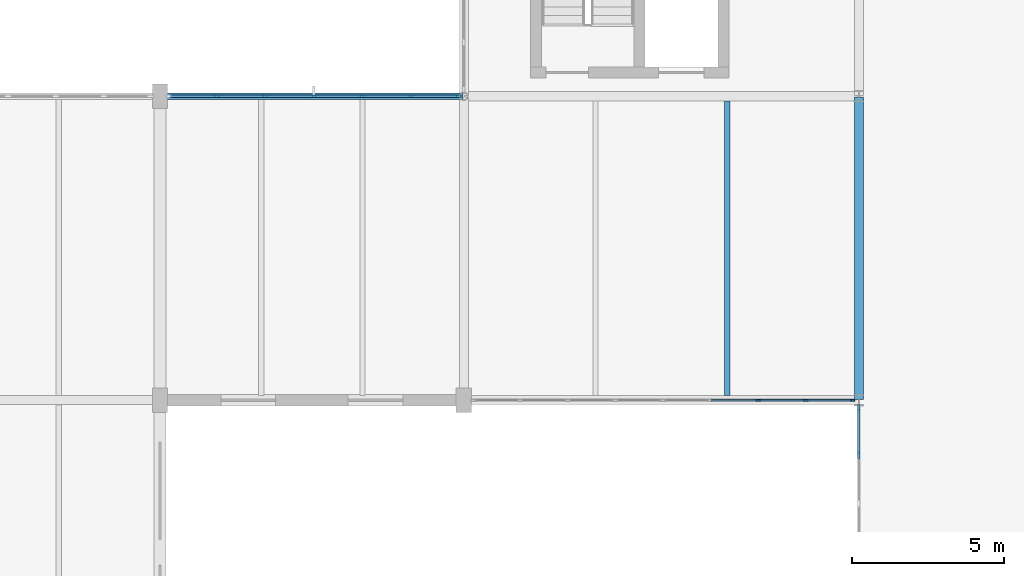
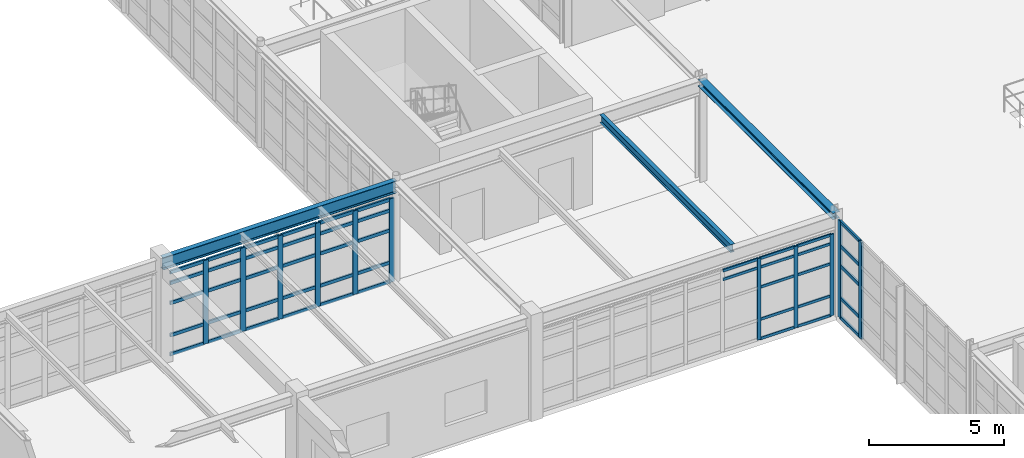
# One storey, part 48 of 139: 58 members, 3 beams, 3 elements without a shape of their own.
"""IFC4 building model written with IfcOpenShell, lengths in metres."""

from ifc_helpers import new_model, si_unit, direction, frame, origin, origin_2d, place, context, subcontext, project, spatial, rectangle, i_section, extrude, material, layer, layer_set, material_profile, profile_set, type_object, element, aggregate, save


model = new_model("IFC4")

# Units and contexts
model_context = context("Model", 3, precision=1e-05, world=origin(), true_north=direction((0.0, 1.0)))
body_context = subcontext(model_context, "Body", "Model", "MODEL_VIEW")
ifc_project = project(units=[si_unit("LENGTHUNIT", "METRE"), si_unit("AREAUNIT", "SQUARE_METRE"), si_unit("VOLUMEUNIT", "CUBIC_METRE"), si_unit("PLANEANGLEUNIT", "RADIAN"), si_unit("MASSUNIT", "GRAM", prefix="KILO"), si_unit("THERMODYNAMICTEMPERATUREUNIT", "KELVIN"), si_unit("POWERUNIT", "WATT")], contexts=[model_context])

# Site, building, storey
site_placement = place(None, origin())
site = spatial("IfcSite", under=ifc_project, at=site_placement, CompositionType="ELEMENT")
building_placement = place(site_placement, origin())
building = spatial("IfcBuilding", under=site, at=building_placement, Name="Korenveer Ferry Terminal", CompositionType="ELEMENT")
storey_placement = place(building_placement, frame((0.0, 0.0, 5.39990234375)))
storey = spatial("IfcBuildingStorey", under=building, at=storey_placement, Name="L01", CompositionType="ELEMENT", Elevation=5.39990234375)

# Curtain wall, members
ifc_material_1 = material(Name="Unitised bronze-and-glass curtain wall", Category="glass")
ifc_layer_1 = layer(ifc_material_1, 0.159912109375)
ifc_layer_set_1 = layer_set([ifc_layer_1], Name="Unitised bronze-and-glass curtain wall")
curtain_wall_type_1 = type_object("IfcCurtainWallType", Name="ENV-CW-46", PredefinedType="USERDEFINED", material=ifc_layer_set_1)
curtain_wall_1_placement = place(storey_placement, frame((40.280029296875, 70.0, 0.0)))
curtain_wall_1 = element("IfcCurtainWall", 1, at=curtain_wall_1_placement, inside=storey, type_object=curtain_wall_type_1, Name="Lancet curtain wall CWX-L01-X40-53-Y70-70", ObjectType="UNITISED CURTAIN WALL", PredefinedType="USERDEFINED")
ifc_material_2 = material(Name="Anodised bronze aluminium", Category="aluminium")
ifc_material_profile_1 = material_profile(ifc_material_2, rectangle(XDim=0.06005859375, YDim=0.159912109375, at=origin_2d()), Name="ALU 60x160")
ifc_profile_set_1 = profile_set([ifc_material_profile_1], Name="Anodised bronze aluminium")
member_type_1 = type_object("IfcMemberType", Name="ENV-CWM-60X160", PredefinedType="MULLION", material=ifc_profile_set_1)
member_1_placement = place(storey_placement, frame((49.68505859375, 70.0, 0.0), z_axis=(0.0, 0.0, 1.0), x_axis=(0.0, 1.0, 0.0)))
member_1 = element("IfcMember", 2, at=member_1_placement, type_object=member_type_1, Name="CW-46 mullion 7", PredefinedType="MULLION", context=body_context, shape_type="SweptSolid", body=[
    extrude(rectangle(XDim=0.06005859375, YDim=0.159912109375, at=origin_2d()), origin(), (0.0, 0.0, 1.0), 3.670166015625),
])
member_2_placement = place(storey_placement, frame((51.25244140625, 70.0, 0.0), z_axis=(0.0, 0.0, 1.0), x_axis=(0.0, 1.0, 0.0)))
member_2 = element("IfcMember", 3, at=member_2_placement, type_object=member_type_1, Name="CW-46 mullion 8", PredefinedType="MULLION", context=body_context, shape_type="SweptSolid", body=[
    extrude(rectangle(XDim=0.06005859375, YDim=0.159912109375, at=origin_2d()), origin(), (0.0, 0.0, 1.0), 3.670166015625),
])
member_3_placement = place(storey_placement, frame((52.7900390625, 70.0, 0.0), z_axis=(0.0, 0.0, 1.0), x_axis=(0.0, 1.0, 0.0)))
member_3 = element("IfcMember", 4, at=member_3_placement, type_object=member_type_1, Name="CW-46 mullion 9", PredefinedType="MULLION", context=body_context, shape_type="SweptSolid", body=[
    extrude(rectangle(XDim=0.06005859375, YDim=0.159912109375, at=origin_2d()), origin(), (0.0, 0.0, 1.0), 3.670166015625),
])

ifc_layer_2 = layer(ifc_material_1, 0.219970703125)
ifc_layer_set_2 = layer_set([ifc_layer_2], Name="Unitised bronze-and-glass curtain wall")
curtain_wall_type_2 = type_object("IfcCurtainWallType", Name="ENV-CW-51", PredefinedType="USERDEFINED", material=ifc_layer_set_2)
curtain_wall_2_placement = place(storey_placement, frame((30.280029296875, 80.0, 0.0)))
curtain_wall_2 = element("IfcCurtainWall", 5, at=curtain_wall_2_placement, inside=storey, type_object=curtain_wall_type_2, Name="Lancet curtain wall CWX-L01-X30-40-Y80-80", ObjectType="UNITISED CURTAIN WALL", PredefinedType="USERDEFINED")
ifc_material_profile_2 = material_profile(ifc_material_2, rectangle(XDim=0.074951171875, YDim=0.219970703125, at=origin_2d()), Name="ALU 75x220")
ifc_profile_set_2 = profile_set([ifc_material_profile_2], Name="Anodised bronze aluminium")
member_type_2 = type_object("IfcMemberType", Name="ENV-CWM-75X220", PredefinedType="MULLION", material=ifc_profile_set_2)
member_4_placement = place(storey_placement, frame((31.872314453125, 80.0, 0.0), z_axis=(0.0, 0.0, 1.0), x_axis=(0.0, 1.0, 0.0)))
member_4 = element("IfcMember", 6, at=member_4_placement, type_object=member_type_2, Name="CW-51 mullion 2", PredefinedType="MULLION", context=body_context, shape_type="SweptSolid", body=[
    extrude(rectangle(XDim=0.074951171875, YDim=0.219970703125, at=origin_2d()), origin(), (0.0, 0.0, 1.0), 3.77001953125),
])
member_5_placement = place(storey_placement, frame((33.464599609375, 80.0, 0.0), z_axis=(0.0, 0.0, 1.0), x_axis=(0.0, 1.0, 0.0)))
member_5 = element("IfcMember", 7, at=member_5_placement, type_object=member_type_2, Name="CW-51 mullion 3", PredefinedType="MULLION", context=body_context, shape_type="SweptSolid", body=[
    extrude(rectangle(XDim=0.074951171875, YDim=0.219970703125, at=origin_2d()), origin(), (0.0, 0.0, 1.0), 3.77001953125),
])
member_6_placement = place(storey_placement, frame((35.056640625, 80.0, 0.0), z_axis=(0.0, 0.0, 1.0), x_axis=(0.0, 1.0, 0.0)))
member_6 = element("IfcMember", 8, at=member_6_placement, type_object=member_type_2, Name="CW-51 mullion 4", PredefinedType="MULLION", context=body_context, shape_type="SweptSolid", body=[
    extrude(rectangle(XDim=0.074951171875, YDim=0.219970703125, at=origin_2d()), origin(), (0.0, 0.0, 1.0), 3.77001953125),
])
member_7_placement = place(storey_placement, frame((36.64892578125, 80.0, 0.0), z_axis=(0.0, 0.0, 1.0), x_axis=(0.0, 1.0, 0.0)))
member_7 = element("IfcMember", 9, at=member_7_placement, type_object=member_type_2, Name="CW-51 mullion 5", PredefinedType="MULLION", context=body_context, shape_type="SweptSolid", body=[
    extrude(rectangle(XDim=0.074951171875, YDim=0.219970703125, at=origin_2d()), origin(), (0.0, 0.0, 1.0), 3.77001953125),
])
member_8_placement = place(storey_placement, frame((38.2412109375, 80.0, 0.0), z_axis=(0.0, 0.0, 1.0), x_axis=(0.0, 1.0, 0.0)))
member_8 = element("IfcMember", 10, at=member_8_placement, type_object=member_type_2, Name="CW-51 mullion 6", PredefinedType="MULLION", context=body_context, shape_type="SweptSolid", body=[
    extrude(rectangle(XDim=0.074951171875, YDim=0.219970703125, at=origin_2d()), origin(), (0.0, 0.0, 1.0), 3.77001953125),
])
member_9_placement = place(storey_placement, frame((39.7958984375, 80.0, 0.0), z_axis=(0.0, 0.0, 1.0), x_axis=(0.0, 1.0, 0.0)))
member_9 = element("IfcMember", 11, at=member_9_placement, type_object=member_type_2, Name="CW-51 mullion 7", PredefinedType="MULLION", context=body_context, shape_type="SweptSolid", body=[
    extrude(rectangle(XDim=0.074951171875, YDim=0.219970703125, at=origin_2d()), origin(), (0.0, 0.0, 1.0), 3.77001953125),
])

ifc_layer_3 = layer(ifc_material_1, 0.219970703125)
ifc_layer_set_3 = layer_set([ifc_layer_3], Name="Unitised bronze-and-glass curtain wall")
curtain_wall_type_3 = type_object("IfcCurtainWallType", Name="ENV-CW-69", PredefinedType="USERDEFINED", material=ifc_layer_set_3)
curtain_wall_3_placement = place(storey_placement, frame((53.0, 60.2099609375, 0.0)))
curtain_wall_3 = element("IfcCurtainWall", 12, at=curtain_wall_3_placement, inside=storey, type_object=curtain_wall_type_3, Name="Lancet curtain wall CWX-L01-X53-53-Y60-70", ObjectType="UNITISED CURTAIN WALL", PredefinedType="USERDEFINED")
member_10_placement = place(storey_placement, frame((53.0, 68.193359375, 0.0), z_axis=(0.0, 0.0, 1.0), x_axis=(-1.0, 0.0, 0.0)))
member_10 = element("IfcMember", 13, at=member_10_placement, type_object=member_type_2, Name="CW-69 mullion 6", PredefinedType="MULLION", context=body_context, shape_type="SweptSolid", body=[
    extrude(rectangle(XDim=0.074951171875, YDim=0.219970703125, at=origin_2d()), origin(), (0.0, 0.0, 1.0), 4.360107421875),
])
member_11_placement = place(storey_placement, frame((53.0, 69.75244140625, 0.0), z_axis=(0.0, 0.0, 1.0), x_axis=(-1.0, 0.0, 0.0)))
member_11 = element("IfcMember", 14, at=member_11_placement, type_object=member_type_2, Name="CW-69 mullion 7", PredefinedType="MULLION", context=body_context, shape_type="SweptSolid", body=[
    extrude(rectangle(XDim=0.074951171875, YDim=0.219970703125, at=origin_2d()), origin(), (0.0, 0.0, 1.0), 4.360107421875),
])

# Member
ifc_material_profile_3 = material_profile(ifc_material_2, rectangle(XDim=0.06005859375, YDim=0.1201171875, at=origin_2d()), Name="ALU 60x120")
ifc_profile_set_3 = profile_set([ifc_material_profile_3], Name="Anodised bronze aluminium")
member_type_3 = type_object("IfcMemberType", Name="ENV-CWT-60X120", PredefinedType="USERDEFINED", material=ifc_profile_set_3)
member_12_placement = place(storey_placement, frame((48.1474609375, 70.0, 3.25), z_axis=(1.0, 0.0, 0.0), x_axis=(0.0, 1.0, 0.0)))
member_12 = element("IfcMember", 15, at=member_12_placement, type_object=member_type_3, Name="CW-46 transom 6.4", ObjectType="TRANSOM", PredefinedType="USERDEFINED", context=body_context, shape_type="SweptSolid", body=[
    extrude(rectangle(XDim=0.06005859375, YDim=0.1201171875, at=origin_2d()), origin(), (0.0, 0.0, 1.0), 1.507568359375),
])

member_13_placement = place(storey_placement, frame((48.1474609375, 70.0, 3.64013671875), z_axis=(1.0, 0.0, 0.0), x_axis=(0.0, 1.0, 0.0)))
member_13 = element("IfcMember", 16, at=member_13_placement, type_object=member_type_3, Name="CW-46 transom 6.5", ObjectType="TRANSOM", PredefinedType="USERDEFINED", context=body_context, shape_type="SweptSolid", body=[
    extrude(rectangle(XDim=0.06005859375, YDim=0.1201171875, at=origin_2d()), origin(), (0.0, 0.0, 1.0), 1.507568359375),
])

member_14_placement = place(storey_placement, frame((49.715087890625, 70.0, 0.030029296875), z_axis=(1.0, 0.0, 0.0), x_axis=(0.0, 1.0, 0.0)))
member_14 = element("IfcMember", 17, at=member_14_placement, type_object=member_type_3, Name="CW-46 transom 7.1", ObjectType="TRANSOM", PredefinedType="USERDEFINED", context=body_context, shape_type="SweptSolid", body=[
    extrude(rectangle(XDim=0.06005859375, YDim=0.1201171875, at=origin_2d()), origin(), (0.0, 0.0, 1.0), 1.50732421875),
])

member_15_placement = place(storey_placement, frame((49.715087890625, 70.0, 0.900146484375), z_axis=(1.0, 0.0, 0.0), x_axis=(0.0, 1.0, 0.0)))
member_15 = element("IfcMember", 18, at=member_15_placement, type_object=member_type_3, Name="CW-46 transom 7.2", ObjectType="TRANSOM", PredefinedType="USERDEFINED", context=body_context, shape_type="SweptSolid", body=[
    extrude(rectangle(XDim=0.06005859375, YDim=0.1201171875, at=origin_2d()), origin(), (0.0, 0.0, 1.0), 1.50732421875),
])

member_16_placement = place(storey_placement, frame((49.715087890625, 70.0, 2.35009765625), z_axis=(1.0, 0.0, 0.0), x_axis=(0.0, 1.0, 0.0)))
member_16 = element("IfcMember", 19, at=member_16_placement, type_object=member_type_3, Name="CW-46 transom 7.3", ObjectType="TRANSOM", PredefinedType="USERDEFINED", context=body_context, shape_type="SweptSolid", body=[
    extrude(rectangle(XDim=0.06005859375, YDim=0.1201171875, at=origin_2d()), origin(), (0.0, 0.0, 1.0), 1.50732421875),
])

member_17_placement = place(storey_placement, frame((49.715087890625, 70.0, 3.25), z_axis=(1.0, 0.0, 0.0), x_axis=(0.0, 1.0, 0.0)))
member_17 = element("IfcMember", 20, at=member_17_placement, type_object=member_type_3, Name="CW-46 transom 7.4", ObjectType="TRANSOM", PredefinedType="USERDEFINED", context=body_context, shape_type="SweptSolid", body=[
    extrude(rectangle(XDim=0.06005859375, YDim=0.1201171875, at=origin_2d()), origin(), (0.0, 0.0, 1.0), 1.50732421875),
])

member_18_placement = place(storey_placement, frame((49.715087890625, 70.0, 3.64013671875), z_axis=(1.0, 0.0, 0.0), x_axis=(0.0, 1.0, 0.0)))
member_18 = element("IfcMember", 21, at=member_18_placement, type_object=member_type_3, Name="CW-46 transom 7.5", ObjectType="TRANSOM", PredefinedType="USERDEFINED", context=body_context, shape_type="SweptSolid", body=[
    extrude(rectangle(XDim=0.06005859375, YDim=0.1201171875, at=origin_2d()), origin(), (0.0, 0.0, 1.0), 1.50732421875),
])

member_19_placement = place(storey_placement, frame((51.282470703125, 70.0, 0.030029296875), z_axis=(1.0, 0.0, 0.0), x_axis=(0.0, 1.0, 0.0)))
member_19 = element("IfcMember", 22, at=member_19_placement, type_object=member_type_3, Name="CW-46 transom 8.1", ObjectType="TRANSOM", PredefinedType="USERDEFINED", context=body_context, shape_type="SweptSolid", body=[
    extrude(rectangle(XDim=0.06005859375, YDim=0.1201171875, at=origin_2d()), origin(), (0.0, 0.0, 1.0), 1.4775390625),
])

member_20_placement = place(storey_placement, frame((51.282470703125, 70.0, 0.900146484375), z_axis=(1.0, 0.0, 0.0), x_axis=(0.0, 1.0, 0.0)))
member_20 = element("IfcMember", 23, at=member_20_placement, type_object=member_type_3, Name="CW-46 transom 8.2", ObjectType="TRANSOM", PredefinedType="USERDEFINED", context=body_context, shape_type="SweptSolid", body=[
    extrude(rectangle(XDim=0.06005859375, YDim=0.1201171875, at=origin_2d()), origin(), (0.0, 0.0, 1.0), 1.4775390625),
])

member_21_placement = place(storey_placement, frame((51.282470703125, 70.0, 2.35009765625), z_axis=(1.0, 0.0, 0.0), x_axis=(0.0, 1.0, 0.0)))
member_21 = element("IfcMember", 24, at=member_21_placement, type_object=member_type_3, Name="CW-46 transom 8.3", ObjectType="TRANSOM", PredefinedType="USERDEFINED", context=body_context, shape_type="SweptSolid", body=[
    extrude(rectangle(XDim=0.06005859375, YDim=0.1201171875, at=origin_2d()), origin(), (0.0, 0.0, 1.0), 1.4775390625),
])

member_22_placement = place(storey_placement, frame((51.282470703125, 70.0, 3.25), z_axis=(1.0, 0.0, 0.0), x_axis=(0.0, 1.0, 0.0)))
member_22 = element("IfcMember", 25, at=member_22_placement, type_object=member_type_3, Name="CW-46 transom 8.4", ObjectType="TRANSOM", PredefinedType="USERDEFINED", context=body_context, shape_type="SweptSolid", body=[
    extrude(rectangle(XDim=0.06005859375, YDim=0.1201171875, at=origin_2d()), origin(), (0.0, 0.0, 1.0), 1.4775390625),
])

member_23_placement = place(storey_placement, frame((51.282470703125, 70.0, 3.64013671875), z_axis=(1.0, 0.0, 0.0), x_axis=(0.0, 1.0, 0.0)))
member_23 = element("IfcMember", 26, at=member_23_placement, type_object=member_type_3, Name="CW-46 transom 8.5", ObjectType="TRANSOM", PredefinedType="USERDEFINED", context=body_context, shape_type="SweptSolid", body=[
    extrude(rectangle(XDim=0.06005859375, YDim=0.1201171875, at=origin_2d()), origin(), (0.0, 0.0, 1.0), 1.4775390625),
])

aggregate(curtain_wall_1, [member_1, member_2, member_3, member_12, member_13, member_14, member_15, member_16, member_17, member_18, member_19, member_20, member_21, member_22, member_23])

ifc_material_profile_4 = material_profile(ifc_material_2, rectangle(XDim=0.074951171875, YDim=0.14990234375, at=origin_2d()), Name="ALU 75x150")
ifc_profile_set_4 = profile_set([ifc_material_profile_4], Name="Anodised bronze aluminium")
member_type_4 = type_object("IfcMemberType", Name="ENV-CWT-75X150", PredefinedType="USERDEFINED", material=ifc_profile_set_4)
member_24_placement = place(storey_placement, frame((30.35498046875, 80.0, 0.03759765625), z_axis=(1.0, 0.0, 0.0), x_axis=(0.0, 1.0, 0.0)))
member_24 = element("IfcMember", 27, at=member_24_placement, type_object=member_type_4, Name="CW-51 transom 1.1", ObjectType="TRANSOM", PredefinedType="USERDEFINED", context=body_context, shape_type="SweptSolid", body=[
    extrude(rectangle(XDim=0.074951171875, YDim=0.14990234375, at=origin_2d()), origin(), (0.0, 0.0, 1.0), 1.479736328125),
])

member_25_placement = place(storey_placement, frame((30.35498046875, 80.0, 0.900146484375), z_axis=(1.0, 0.0, 0.0), x_axis=(0.0, 1.0, 0.0)))
member_25 = element("IfcMember", 28, at=member_25_placement, type_object=member_type_4, Name="CW-51 transom 1.2", ObjectType="TRANSOM", PredefinedType="USERDEFINED", context=body_context, shape_type="SweptSolid", body=[
    extrude(rectangle(XDim=0.074951171875, YDim=0.14990234375, at=origin_2d()), origin(), (0.0, 0.0, 1.0), 1.479736328125),
])

member_26_placement = place(storey_placement, frame((30.35498046875, 80.0, 2.35009765625), z_axis=(1.0, 0.0, 0.0), x_axis=(0.0, 1.0, 0.0)))
member_26 = element("IfcMember", 29, at=member_26_placement, type_object=member_type_4, Name="CW-51 transom 1.3", ObjectType="TRANSOM", PredefinedType="USERDEFINED", context=body_context, shape_type="SweptSolid", body=[
    extrude(rectangle(XDim=0.074951171875, YDim=0.14990234375, at=origin_2d()), origin(), (0.0, 0.0, 1.0), 1.479736328125),
])

member_27_placement = place(storey_placement, frame((30.35498046875, 80.0, 3.25), z_axis=(1.0, 0.0, 0.0), x_axis=(0.0, 1.0, 0.0)))
member_27 = element("IfcMember", 30, at=member_27_placement, type_object=member_type_4, Name="CW-51 transom 1.4", ObjectType="TRANSOM", PredefinedType="USERDEFINED", context=body_context, shape_type="SweptSolid", body=[
    extrude(rectangle(XDim=0.074951171875, YDim=0.14990234375, at=origin_2d()), origin(), (0.0, 0.0, 1.0), 1.479736328125),
])

member_28_placement = place(storey_placement, frame((30.35498046875, 80.0, 3.732666015625), z_axis=(1.0, 0.0, 0.0), x_axis=(0.0, 1.0, 0.0)))
member_28 = element("IfcMember", 31, at=member_28_placement, type_object=member_type_4, Name="CW-51 transom 1.5", ObjectType="TRANSOM", PredefinedType="USERDEFINED", context=body_context, shape_type="SweptSolid", body=[
    extrude(rectangle(XDim=0.074951171875, YDim=0.14990234375, at=origin_2d()), origin(), (0.0, 0.0, 1.0), 1.479736328125),
])

member_29_placement = place(storey_placement, frame((31.90966796875, 80.0, 0.03759765625), z_axis=(1.0, 0.0, 0.0), x_axis=(0.0, 1.0, 0.0)))
member_29 = element("IfcMember", 32, at=member_29_placement, type_object=member_type_4, Name="CW-51 transom 2.1", ObjectType="TRANSOM", PredefinedType="USERDEFINED", context=body_context, shape_type="SweptSolid", body=[
    extrude(rectangle(XDim=0.074951171875, YDim=0.14990234375, at=origin_2d()), origin(), (0.0, 0.0, 1.0), 1.517333984375),
])

member_30_placement = place(storey_placement, frame((31.90966796875, 80.0, 0.900146484375), z_axis=(1.0, 0.0, 0.0), x_axis=(0.0, 1.0, 0.0)))
member_30 = element("IfcMember", 33, at=member_30_placement, type_object=member_type_4, Name="CW-51 transom 2.2", ObjectType="TRANSOM", PredefinedType="USERDEFINED", context=body_context, shape_type="SweptSolid", body=[
    extrude(rectangle(XDim=0.074951171875, YDim=0.14990234375, at=origin_2d()), origin(), (0.0, 0.0, 1.0), 1.517333984375),
])

member_31_placement = place(storey_placement, frame((31.90966796875, 80.0, 2.35009765625), z_axis=(1.0, 0.0, 0.0), x_axis=(0.0, 1.0, 0.0)))
member_31 = element("IfcMember", 34, at=member_31_placement, type_object=member_type_4, Name="CW-51 transom 2.3", ObjectType="TRANSOM", PredefinedType="USERDEFINED", context=body_context, shape_type="SweptSolid", body=[
    extrude(rectangle(XDim=0.074951171875, YDim=0.14990234375, at=origin_2d()), origin(), (0.0, 0.0, 1.0), 1.517333984375),
])

member_32_placement = place(storey_placement, frame((31.90966796875, 80.0, 3.25), z_axis=(1.0, 0.0, 0.0), x_axis=(0.0, 1.0, 0.0)))
member_32 = element("IfcMember", 35, at=member_32_placement, type_object=member_type_4, Name="CW-51 transom 2.4", ObjectType="TRANSOM", PredefinedType="USERDEFINED", context=body_context, shape_type="SweptSolid", body=[
    extrude(rectangle(XDim=0.074951171875, YDim=0.14990234375, at=origin_2d()), origin(), (0.0, 0.0, 1.0), 1.517333984375),
])

member_33_placement = place(storey_placement, frame((31.90966796875, 80.0, 3.732666015625), z_axis=(1.0, 0.0, 0.0), x_axis=(0.0, 1.0, 0.0)))
member_33 = element("IfcMember", 36, at=member_33_placement, type_object=member_type_4, Name="CW-51 transom 2.5", ObjectType="TRANSOM", PredefinedType="USERDEFINED", context=body_context, shape_type="SweptSolid", body=[
    extrude(rectangle(XDim=0.074951171875, YDim=0.14990234375, at=origin_2d()), origin(), (0.0, 0.0, 1.0), 1.517333984375),
])

member_34_placement = place(storey_placement, frame((33.501953125, 80.0, 0.03759765625), z_axis=(1.0, 0.0, 0.0), x_axis=(0.0, 1.0, 0.0)))
member_34 = element("IfcMember", 37, at=member_34_placement, type_object=member_type_4, Name="CW-51 transom 3.1", ObjectType="TRANSOM", PredefinedType="USERDEFINED", context=body_context, shape_type="SweptSolid", body=[
    extrude(rectangle(XDim=0.074951171875, YDim=0.14990234375, at=origin_2d()), origin(), (0.0, 0.0, 1.0), 1.517333984375),
])

member_35_placement = place(storey_placement, frame((33.501953125, 80.0, 0.900146484375), z_axis=(1.0, 0.0, 0.0), x_axis=(0.0, 1.0, 0.0)))
member_35 = element("IfcMember", 38, at=member_35_placement, type_object=member_type_4, Name="CW-51 transom 3.2", ObjectType="TRANSOM", PredefinedType="USERDEFINED", context=body_context, shape_type="SweptSolid", body=[
    extrude(rectangle(XDim=0.074951171875, YDim=0.14990234375, at=origin_2d()), origin(), (0.0, 0.0, 1.0), 1.517333984375),
])

member_36_placement = place(storey_placement, frame((33.501953125, 80.0, 2.35009765625), z_axis=(1.0, 0.0, 0.0), x_axis=(0.0, 1.0, 0.0)))
member_36 = element("IfcMember", 39, at=member_36_placement, type_object=member_type_4, Name="CW-51 transom 3.3", ObjectType="TRANSOM", PredefinedType="USERDEFINED", context=body_context, shape_type="SweptSolid", body=[
    extrude(rectangle(XDim=0.074951171875, YDim=0.14990234375, at=origin_2d()), origin(), (0.0, 0.0, 1.0), 1.517333984375),
])

member_37_placement = place(storey_placement, frame((33.501953125, 80.0, 3.25), z_axis=(1.0, 0.0, 0.0), x_axis=(0.0, 1.0, 0.0)))
member_37 = element("IfcMember", 40, at=member_37_placement, type_object=member_type_4, Name="CW-51 transom 3.4", ObjectType="TRANSOM", PredefinedType="USERDEFINED", context=body_context, shape_type="SweptSolid", body=[
    extrude(rectangle(XDim=0.074951171875, YDim=0.14990234375, at=origin_2d()), origin(), (0.0, 0.0, 1.0), 1.517333984375),
])

member_38_placement = place(storey_placement, frame((33.501953125, 80.0, 3.732666015625), z_axis=(1.0, 0.0, 0.0), x_axis=(0.0, 1.0, 0.0)))
member_38 = element("IfcMember", 41, at=member_38_placement, type_object=member_type_4, Name="CW-51 transom 3.5", ObjectType="TRANSOM", PredefinedType="USERDEFINED", context=body_context, shape_type="SweptSolid", body=[
    extrude(rectangle(XDim=0.074951171875, YDim=0.14990234375, at=origin_2d()), origin(), (0.0, 0.0, 1.0), 1.517333984375),
])

member_39_placement = place(storey_placement, frame((35.09423828125, 80.0, 0.03759765625), z_axis=(1.0, 0.0, 0.0), x_axis=(0.0, 1.0, 0.0)))
member_39 = element("IfcMember", 42, at=member_39_placement, type_object=member_type_4, Name="CW-51 transom 4.1", ObjectType="TRANSOM", PredefinedType="USERDEFINED", context=body_context, shape_type="SweptSolid", body=[
    extrude(rectangle(XDim=0.074951171875, YDim=0.14990234375, at=origin_2d()), origin(), (0.0, 0.0, 1.0), 1.517333984375),
])

member_40_placement = place(storey_placement, frame((35.09423828125, 80.0, 0.900146484375), z_axis=(1.0, 0.0, 0.0), x_axis=(0.0, 1.0, 0.0)))
member_40 = element("IfcMember", 43, at=member_40_placement, type_object=member_type_4, Name="CW-51 transom 4.2", ObjectType="TRANSOM", PredefinedType="USERDEFINED", context=body_context, shape_type="SweptSolid", body=[
    extrude(rectangle(XDim=0.074951171875, YDim=0.14990234375, at=origin_2d()), origin(), (0.0, 0.0, 1.0), 1.517333984375),
])

member_41_placement = place(storey_placement, frame((35.09423828125, 80.0, 2.35009765625), z_axis=(1.0, 0.0, 0.0), x_axis=(0.0, 1.0, 0.0)))
member_41 = element("IfcMember", 44, at=member_41_placement, type_object=member_type_4, Name="CW-51 transom 4.3", ObjectType="TRANSOM", PredefinedType="USERDEFINED", context=body_context, shape_type="SweptSolid", body=[
    extrude(rectangle(XDim=0.074951171875, YDim=0.14990234375, at=origin_2d()), origin(), (0.0, 0.0, 1.0), 1.517333984375),
])

member_42_placement = place(storey_placement, frame((35.09423828125, 80.0, 3.25), z_axis=(1.0, 0.0, 0.0), x_axis=(0.0, 1.0, 0.0)))
member_42 = element("IfcMember", 45, at=member_42_placement, type_object=member_type_4, Name="CW-51 transom 4.4", ObjectType="TRANSOM", PredefinedType="USERDEFINED", context=body_context, shape_type="SweptSolid", body=[
    extrude(rectangle(XDim=0.074951171875, YDim=0.14990234375, at=origin_2d()), origin(), (0.0, 0.0, 1.0), 1.517333984375),
])

member_43_placement = place(storey_placement, frame((35.09423828125, 80.0, 3.732666015625), z_axis=(1.0, 0.0, 0.0), x_axis=(0.0, 1.0, 0.0)))
member_43 = element("IfcMember", 46, at=member_43_placement, type_object=member_type_4, Name="CW-51 transom 4.5", ObjectType="TRANSOM", PredefinedType="USERDEFINED", context=body_context, shape_type="SweptSolid", body=[
    extrude(rectangle(XDim=0.074951171875, YDim=0.14990234375, at=origin_2d()), origin(), (0.0, 0.0, 1.0), 1.517333984375),
])

member_44_placement = place(storey_placement, frame((36.6865234375, 80.0, 0.03759765625), z_axis=(1.0, 0.0, 0.0), x_axis=(0.0, 1.0, 0.0)))
member_44 = element("IfcMember", 47, at=member_44_placement, type_object=member_type_4, Name="CW-51 transom 5.1", ObjectType="TRANSOM", PredefinedType="USERDEFINED", context=body_context, shape_type="SweptSolid", body=[
    extrude(rectangle(XDim=0.074951171875, YDim=0.14990234375, at=origin_2d()), origin(), (0.0, 0.0, 1.0), 1.517333984375),
])

member_45_placement = place(storey_placement, frame((36.6865234375, 80.0, 0.900146484375), z_axis=(1.0, 0.0, 0.0), x_axis=(0.0, 1.0, 0.0)))
member_45 = element("IfcMember", 48, at=member_45_placement, type_object=member_type_4, Name="CW-51 transom 5.2", ObjectType="TRANSOM", PredefinedType="USERDEFINED", context=body_context, shape_type="SweptSolid", body=[
    extrude(rectangle(XDim=0.074951171875, YDim=0.14990234375, at=origin_2d()), origin(), (0.0, 0.0, 1.0), 1.517333984375),
])

member_46_placement = place(storey_placement, frame((36.6865234375, 80.0, 2.35009765625), z_axis=(1.0, 0.0, 0.0), x_axis=(0.0, 1.0, 0.0)))
member_46 = element("IfcMember", 49, at=member_46_placement, type_object=member_type_4, Name="CW-51 transom 5.3", ObjectType="TRANSOM", PredefinedType="USERDEFINED", context=body_context, shape_type="SweptSolid", body=[
    extrude(rectangle(XDim=0.074951171875, YDim=0.14990234375, at=origin_2d()), origin(), (0.0, 0.0, 1.0), 1.517333984375),
])

member_47_placement = place(storey_placement, frame((36.6865234375, 80.0, 3.25), z_axis=(1.0, 0.0, 0.0), x_axis=(0.0, 1.0, 0.0)))
member_47 = element("IfcMember", 50, at=member_47_placement, type_object=member_type_4, Name="CW-51 transom 5.4", ObjectType="TRANSOM", PredefinedType="USERDEFINED", context=body_context, shape_type="SweptSolid", body=[
    extrude(rectangle(XDim=0.074951171875, YDim=0.14990234375, at=origin_2d()), origin(), (0.0, 0.0, 1.0), 1.517333984375),
])

member_48_placement = place(storey_placement, frame((36.6865234375, 80.0, 3.732666015625), z_axis=(1.0, 0.0, 0.0), x_axis=(0.0, 1.0, 0.0)))
member_48 = element("IfcMember", 51, at=member_48_placement, type_object=member_type_4, Name="CW-51 transom 5.5", ObjectType="TRANSOM", PredefinedType="USERDEFINED", context=body_context, shape_type="SweptSolid", body=[
    extrude(rectangle(XDim=0.074951171875, YDim=0.14990234375, at=origin_2d()), origin(), (0.0, 0.0, 1.0), 1.517333984375),
])

member_49_placement = place(storey_placement, frame((38.27880859375, 80.0, 0.03759765625), z_axis=(1.0, 0.0, 0.0), x_axis=(0.0, 1.0, 0.0)))
member_49 = element("IfcMember", 52, at=member_49_placement, type_object=member_type_4, Name="CW-51 transom 6.1", ObjectType="TRANSOM", PredefinedType="USERDEFINED", context=body_context, shape_type="SweptSolid", body=[
    extrude(rectangle(XDim=0.074951171875, YDim=0.14990234375, at=origin_2d()), origin(), (0.0, 0.0, 1.0), 1.479736328125),
])

member_50_placement = place(storey_placement, frame((38.27880859375, 80.0, 0.900146484375), z_axis=(1.0, 0.0, 0.0), x_axis=(0.0, 1.0, 0.0)))
member_50 = element("IfcMember", 53, at=member_50_placement, type_object=member_type_4, Name="CW-51 transom 6.2", ObjectType="TRANSOM", PredefinedType="USERDEFINED", context=body_context, shape_type="SweptSolid", body=[
    extrude(rectangle(XDim=0.074951171875, YDim=0.14990234375, at=origin_2d()), origin(), (0.0, 0.0, 1.0), 1.479736328125),
])

member_51_placement = place(storey_placement, frame((38.27880859375, 80.0, 2.35009765625), z_axis=(1.0, 0.0, 0.0), x_axis=(0.0, 1.0, 0.0)))
member_51 = element("IfcMember", 54, at=member_51_placement, type_object=member_type_4, Name="CW-51 transom 6.3", ObjectType="TRANSOM", PredefinedType="USERDEFINED", context=body_context, shape_type="SweptSolid", body=[
    extrude(rectangle(XDim=0.074951171875, YDim=0.14990234375, at=origin_2d()), origin(), (0.0, 0.0, 1.0), 1.479736328125),
])

member_52_placement = place(storey_placement, frame((38.27880859375, 80.0, 3.25), z_axis=(1.0, 0.0, 0.0), x_axis=(0.0, 1.0, 0.0)))
member_52 = element("IfcMember", 55, at=member_52_placement, type_object=member_type_4, Name="CW-51 transom 6.4", ObjectType="TRANSOM", PredefinedType="USERDEFINED", context=body_context, shape_type="SweptSolid", body=[
    extrude(rectangle(XDim=0.074951171875, YDim=0.14990234375, at=origin_2d()), origin(), (0.0, 0.0, 1.0), 1.479736328125),
])

member_53_placement = place(storey_placement, frame((38.27880859375, 80.0, 3.732666015625), z_axis=(1.0, 0.0, 0.0), x_axis=(0.0, 1.0, 0.0)))
member_53 = element("IfcMember", 56, at=member_53_placement, type_object=member_type_4, Name="CW-51 transom 6.5", ObjectType="TRANSOM", PredefinedType="USERDEFINED", context=body_context, shape_type="SweptSolid", body=[
    extrude(rectangle(XDim=0.074951171875, YDim=0.14990234375, at=origin_2d()), origin(), (0.0, 0.0, 1.0), 1.479736328125),
])

aggregate(curtain_wall_2, [member_4, member_5, member_6, member_7, member_8, member_9, member_24, member_25, member_26, member_27, member_28, member_29, member_30, member_31, member_32, member_33, member_34, member_35, member_36, member_37, member_38, member_39, member_40, member_41, member_42, member_43, member_44, member_45, member_46, member_47, member_48, member_49, member_50, member_51, member_52, member_53])

member_54_placement = place(storey_placement, frame((53.0, 68.230712890625, 0.03759765625), z_axis=(0.0, 1.0, 0.0), x_axis=(-1.0, 0.0, 0.0)))
member_54 = element("IfcMember", 57, at=member_54_placement, type_object=member_type_4, Name="CW-69 transom 6.1", ObjectType="TRANSOM", PredefinedType="USERDEFINED", context=body_context, shape_type="SweptSolid", body=[
    extrude(rectangle(XDim=0.074951171875, YDim=0.14990234375, at=origin_2d()), origin(), (0.0, 0.0, 1.0), 1.484375),
])

member_55_placement = place(storey_placement, frame((53.0, 68.230712890625, 0.900146484375), z_axis=(0.0, 1.0, 0.0), x_axis=(-1.0, 0.0, 0.0)))
member_55 = element("IfcMember", 58, at=member_55_placement, type_object=member_type_4, Name="CW-69 transom 6.2", ObjectType="TRANSOM", PredefinedType="USERDEFINED", context=body_context, shape_type="SweptSolid", body=[
    extrude(rectangle(XDim=0.074951171875, YDim=0.14990234375, at=origin_2d()), origin(), (0.0, 0.0, 1.0), 1.484375),
])

member_56_placement = place(storey_placement, frame((53.0, 68.230712890625, 2.35009765625), z_axis=(0.0, 1.0, 0.0), x_axis=(-1.0, 0.0, 0.0)))
member_56 = element("IfcMember", 59, at=member_56_placement, type_object=member_type_4, Name="CW-69 transom 6.3", ObjectType="TRANSOM", PredefinedType="USERDEFINED", context=body_context, shape_type="SweptSolid", body=[
    extrude(rectangle(XDim=0.074951171875, YDim=0.14990234375, at=origin_2d()), origin(), (0.0, 0.0, 1.0), 1.484375),
])

member_57_placement = place(storey_placement, frame((53.0, 68.230712890625, 3.25), z_axis=(0.0, 1.0, 0.0), x_axis=(-1.0, 0.0, 0.0)))
member_57 = element("IfcMember", 60, at=member_57_placement, type_object=member_type_4, Name="CW-69 transom 6.4", ObjectType="TRANSOM", PredefinedType="USERDEFINED", context=body_context, shape_type="SweptSolid", body=[
    extrude(rectangle(XDim=0.074951171875, YDim=0.14990234375, at=origin_2d()), origin(), (0.0, 0.0, 1.0), 1.484375),
])

member_58_placement = place(storey_placement, frame((53.0, 68.230712890625, 4.322509765625), z_axis=(0.0, 1.0, 0.0), x_axis=(-1.0, 0.0, 0.0)))
member_58 = element("IfcMember", 61, at=member_58_placement, type_object=member_type_4, Name="CW-69 transom 6.5", ObjectType="TRANSOM", PredefinedType="USERDEFINED", context=body_context, shape_type="SweptSolid", body=[
    extrude(rectangle(XDim=0.074951171875, YDim=0.14990234375, at=origin_2d()), origin(), (0.0, 0.0, 1.0), 1.484375),
])

aggregate(curtain_wall_3, [member_10, member_11, member_54, member_55, member_56, member_57, member_58])

# Beams
ifc_material_3 = material(Name="Steel S355", Category="steel")
ifc_material_profile_5 = material_profile(ifc_material_3, i_section(OverallWidth=0.300048828125, OverallDepth=0.2900390625, WebThickness=0.008544921875, FlangeThickness=0.013916015625, FilletRadius=0.027099609375, at=origin_2d()), Name="HEA 300")
ifc_profile_set_5 = profile_set([ifc_material_profile_5], Name="Steel S355")
beam_type_1 = type_object("IfcBeamType", Name="STR-BM-HEA300", PredefinedType="BEAM", material=ifc_profile_set_5)
beam_1_placement = place(storey_placement, frame((53.0, 70.02001953125, 4.405029296875), z_axis=(0.0, 1.0, 0.0), x_axis=(-1.0, 0.0, 0.0)))
element("IfcBeam", 62, at=beam_1_placement, inside=storey, type_object=beam_type_1, Name="Primary Y girder BMY-L02-X53-Y70-80", PredefinedType="BEAM", context=body_context, shape_type="SweptSolid", body=[
    extrude(i_section(OverallWidth=0.300048828125, OverallDepth=0.2900390625, WebThickness=0.008544921875, FlangeThickness=0.013916015625, FilletRadius=0.027099609375, at=origin_2d()), origin(), (0.0, 0.0, 1.0), 9.9599609375),
])
ifc_material_profile_6 = material_profile(ifc_material_3, i_section(OverallWidth=0.2099609375, OverallDepth=0.550048828125, WebThickness=0.010986328125, FlangeThickness=0.01708984375, FilletRadius=0.02392578125, at=origin_2d()), Name="IPE 550")
ifc_profile_set_6 = profile_set([ifc_material_profile_6], Name="Steel S355")
beam_type_2 = type_object("IfcBeamType", Name="STR-BM-IPE550", PredefinedType="BEAM", material=ifc_profile_set_6)
beam_2_placement = place(storey_placement, frame((30.02001953125, 80.0, 4.275146484375), z_axis=(1.0, 0.0, 0.0), x_axis=(0.0, 1.0, 0.0)))
element("IfcBeam", 63, at=beam_2_placement, inside=storey, type_object=beam_type_2, Name="Primary X girder BMX-L02-X30-40-Y80", PredefinedType="BEAM", context=body_context, shape_type="SweptSolid", body=[
    extrude(i_section(OverallWidth=0.2099609375, OverallDepth=0.550048828125, WebThickness=0.010986328125, FlangeThickness=0.01708984375, FilletRadius=0.02392578125, at=origin_2d()), origin(), (0.0, 0.0, 1.0), 9.9599609375),
])
ifc_material_profile_7 = material_profile(ifc_material_3, i_section(OverallWidth=0.169921875, OverallDepth=0.360107421875, WebThickness=0.008056640625, FlangeThickness=0.0126953125, FilletRadius=0.01806640625, at=origin_2d()), Name="IPE 360")
ifc_profile_set_7 = profile_set([ifc_material_profile_7], Name="Steel S355")
beam_type_3 = type_object("IfcBeamType", Name="STR-JST-IPE360", PredefinedType="JOIST", material=ifc_profile_set_7)
beam_3_placement = place(storey_placement, frame((48.666748046875, 70.159912109375, 4.3701171875), z_axis=(0.0, 1.0, 0.0), x_axis=(-1.0, 0.0, 0.0)))
element("IfcBeam", 64, at=beam_3_placement, inside=storey, type_object=beam_type_3, Name="Secondary composite joist JST-L02-X487-Y70-80", PredefinedType="JOIST", context=body_context, shape_type="SweptSolid", body=[
    extrude(i_section(OverallWidth=0.169921875, OverallDepth=0.360107421875, WebThickness=0.008056640625, FlangeThickness=0.0126953125, FilletRadius=0.01806640625, at=origin_2d()), origin(), (0.0, 0.0, 1.0), 9.68017578125),
])

save(model, "model.ifc")
